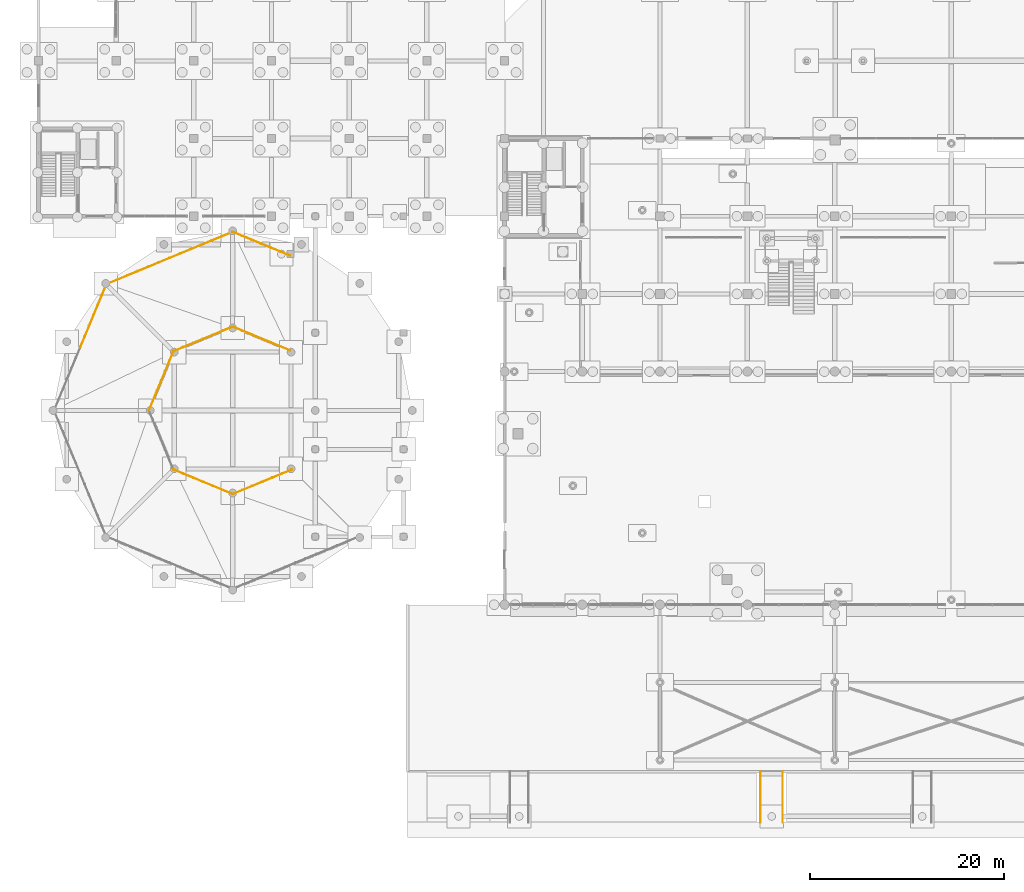
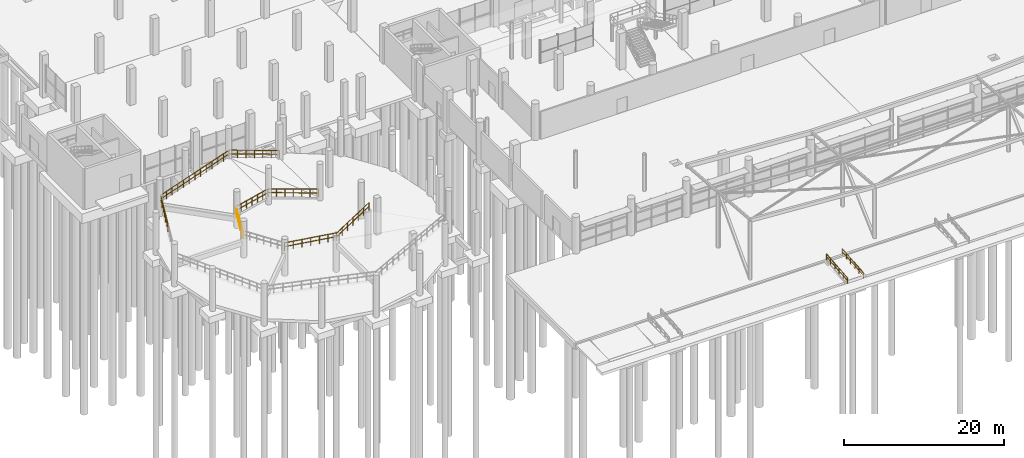
# One storey, part 89 of 98: 17 railings.
"""IFC4 building model written with IfcOpenShell, lengths in metres."""

from ifc_helpers import new_model, si_unit, derived_unit, direction, frame, origin, origin_2d, place, context, subcontext, project, spatial, circle, extrude, material, type_object, element, save


model = new_model("IFC4")

# Units and contexts
model_context = context("Model", 3, precision=1e-05, world=origin(), true_north=direction((0.0, 1.0)))
body_context = subcontext(model_context, "Body", "Model", "MODEL_VIEW")
ifc_project = project(units=[si_unit("LENGTHUNIT", "METRE"), si_unit("AREAUNIT", "SQUARE_METRE"), si_unit("VOLUMEUNIT", "CUBIC_METRE"), si_unit("PLANEANGLEUNIT", "RADIAN"), si_unit("MASSUNIT", "GRAM", prefix="KILO"), si_unit("THERMODYNAMICTEMPERATUREUNIT", "KELVIN"), derived_unit("THERMALTRANSMITTANCEUNIT", [(si_unit("POWERUNIT", "WATT"), 1), (si_unit("AREAUNIT", "SQUARE_METRE"), -1), (si_unit("THERMODYNAMICTEMPERATUREUNIT", "KELVIN"), -1)])], contexts=[model_context])

# Site, building, storey
site_placement = place(None, origin())
site = spatial("IfcSite", under=ifc_project, at=site_placement, CompositionType="ELEMENT")
building_placement = place(site_placement, origin())
building = spatial("IfcBuilding", under=site, at=building_placement, Name="Haiyu Intermodal Mobility Hub", CompositionType="ELEMENT")
storey_placement = place(building_placement, origin())
storey = spatial("IfcBuildingStorey", under=building, at=storey_placement, Name="L00", CompositionType="ELEMENT", Elevation=0.0)

# Railings
ifc_material = material(Name="Steel Q355C", Category="steel")
railing_type_1 = type_object("IfcRailingType", Name="RAL-GR01", PredefinedType="GUARDRAIL", material=ifc_material)
for number, where, name in (
    (1, (39.89990234375, 75.93603515625, 0.294921875), "RAL-VRMP-O-L00-01A"),
    (2, (36.949951171875, 77.157958984375, 0.614013671875), "RAL-VRMP-O-L00-01B"),
    (3, (39.89990234375, 66.176025390625, 0.294921875), "RAL-VRMP-I-L00-01A"),
):
    element("IfcRailing", number, at=place(storey_placement, frame(where)), inside=storey, type_object=railing_type_1, Name=name, PredefinedType="GUARDRAIL", context=body_context, shape_type="SweptSolid", body=[
        extrude(circle(Radius=0.02392578125, at=origin_2d()), frame((-0.027587890625, 0.011474609375, 1.178955078125), z_axis=(-0.919298906945, 0.380790451813, 0.099439184919), x_axis=(-0.382687186701, -0.923877977405, 0.0)), (0.0, 0.0, 1.0), 3.14892578125),
        extrude(circle(Radius=0.02392578125, at=origin_2d()), frame((-0.0341796875, 0.01416015625, 0.603759765625), z_axis=(-0.919298906945, 0.380790451813, 0.099439184919), x_axis=(-0.382687186701, -0.923877977405, 0.0)), (0.0, 0.0, 1.0), 0.9951171875),
        extrude(circle(Radius=0.02392578125, at=origin_2d()), frame((-1.017578125, 0.421630859375, 0.7099609375), z_axis=(-0.919298906945, 0.380790451813, 0.099439184919), x_axis=(-0.382687186701, -0.923877977405, 0.0)), (0.0, 0.0, 1.0), 0.9951171875),
        extrude(circle(Radius=0.02392578125, at=origin_2d()), frame((-2.0009765625, 0.828857421875, 0.81640625), z_axis=(-0.919298906945, 0.380790451813, 0.099439184919), x_axis=(-0.382687186701, -0.923877977405, 0.0)), (0.0, 0.0, 1.0), 0.9951171875),
        extrude(circle(Radius=0.02099609375, at=origin_2d()), origin(), (0.0, 0.0, 1.0), 1.143798828125),
        extrude(circle(Radius=0.02099609375, at=origin_2d()), frame((-0.9833984375, 0.4072265625, 0.1064453125)), (0.0, 0.0, 1.0), 1.143798828125),
        extrude(circle(Radius=0.02099609375, at=origin_2d()), frame((-1.966552734375, 0.814697265625, 0.212646484375)), (0.0, 0.0, 1.0), 1.143798828125),
        extrude(circle(Radius=0.02099609375, at=origin_2d()), frame((-2.949951171875, 1.221923828125, 0.319091796875)), (0.0, 0.0, 1.0), 1.143798828125),
    ])
railing_1_placement = place(storey_placement, frame((36.949951171875, 67.39794921875, 0.614013671875)))
element("IfcRailing", 4, at=railing_1_placement, inside=storey, type_object=railing_type_1, Name="RAL-VRMP-I-L00-01B", PredefinedType="GUARDRAIL", context=body_context, shape_type="SweptSolid", body=[
    extrude(circle(Radius=0.02392578125, at=origin_2d()), frame((-0.027587890625, 0.011474609375, 1.178955078125), z_axis=(-0.919272272155, 0.380855498999, 0.099436303874), x_axis=(-0.382752447143, -0.923850942634, 0.0)), (0.0, 0.0, 1.0), 3.14892578125),
    extrude(circle(Radius=0.02392578125, at=origin_2d()), frame((-0.0341796875, 0.01416015625, 0.603759765625), z_axis=(-0.919272272155, 0.380855498999, 0.099436303874), x_axis=(-0.382752447143, -0.923850942634, 0.0)), (0.0, 0.0, 1.0), 0.9951171875),
    extrude(circle(Radius=0.02392578125, at=origin_2d()), frame((-1.017578125, 0.421630859375, 0.7099609375), z_axis=(-0.919272272155, 0.380855498999, 0.099436303874), x_axis=(-0.382752447143, -0.923850942634, 0.0)), (0.0, 0.0, 1.0), 0.9951171875),
    extrude(circle(Radius=0.02392578125, at=origin_2d()), frame((-2.0009765625, 0.8291015625, 0.81640625), z_axis=(-0.919272272155, 0.380855498999, 0.099436303874), x_axis=(-0.382752447143, -0.923850942634, 0.0)), (0.0, 0.0, 1.0), 0.9951171875),
    extrude(circle(Radius=0.02099609375, at=origin_2d()), origin(), (0.0, 0.0, 1.0), 1.143798828125),
    extrude(circle(Radius=0.02099609375, at=origin_2d()), frame((-0.9833984375, 0.407470703125, 0.1064453125)), (0.0, 0.0, 1.0), 1.143798828125),
    extrude(circle(Radius=0.02099609375, at=origin_2d()), frame((-1.966552734375, 0.814697265625, 0.212646484375)), (0.0, 0.0, 1.0), 1.143798828125),
    extrude(circle(Radius=0.02099609375, at=origin_2d()), frame((-2.949951171875, 1.22216796875, 0.319091796875)), (0.0, 0.0, 1.0), 1.143798828125),
])
railing_2_placement = place(storey_placement, frame((34.0, 78.3798828125, 0.93310546875)))
element("IfcRailing", 5, at=railing_2_placement, inside=storey, type_object=railing_type_1, Name="RAL-VRMP-O-L00-02A", PredefinedType="GUARDRAIL", context=body_context, shape_type="SweptSolid", body=[
    extrude(circle(Radius=0.02392578125, at=origin_2d()), frame((-0.027587890625, -0.011474609375, 1.177978515625), z_axis=(-0.921835752281, -0.381881612738, 0.066221444182), x_axis=(0.382721705618, -0.923863678282, 0.0)), (0.0, 0.0, 1.0), 6.989013671875),
    extrude(circle(Radius=0.02392578125, at=origin_2d()), frame((-0.034423828125, -0.01416015625, 0.6025390625), z_axis=(-0.921835752281, -0.381881612738, 0.066221444182), x_axis=(0.382721705618, -0.923863678282, 0.0)), (0.0, 0.0, 1.0), 1.100341796875),
    extrude(circle(Radius=0.02392578125, at=origin_2d()), frame((-1.117431640625, -0.462890625, 0.68017578125), z_axis=(-0.921835752281, -0.381881612738, 0.066221444182), x_axis=(0.382721705618, -0.923863678282, 0.0)), (0.0, 0.0, 1.0), 1.100341796875),
    extrude(circle(Radius=0.02392578125, at=origin_2d()), frame((-2.200439453125, -0.91162109375, 0.758056640625), z_axis=(-0.921835752281, -0.381881612738, 0.066221444182), x_axis=(0.382721705618, -0.923863678282, 0.0)), (0.0, 0.0, 1.0), 1.100341796875),
    extrude(circle(Radius=0.02392578125, at=origin_2d()), frame((-3.283447265625, -1.360107421875, 0.8359375), z_axis=(-0.921835752281, -0.381881612738, 0.066221444182), x_axis=(0.382721705618, -0.923863678282, 0.0)), (0.0, 0.0, 1.0), 1.100341796875),
    extrude(circle(Radius=0.02392578125, at=origin_2d()), frame((-4.366455078125, -1.808837890625, 0.91357421875), z_axis=(-0.921835752281, -0.381881612738, 0.066221444182), x_axis=(0.382721705618, -0.923863678282, 0.0)), (0.0, 0.0, 1.0), 1.100341796875),
    extrude(circle(Radius=0.02392578125, at=origin_2d()), frame((-5.449462890625, -2.257568359375, 0.991455078125), z_axis=(-0.921835752281, -0.381881612738, 0.066221444182), x_axis=(0.382721705618, -0.923863678282, 0.0)), (0.0, 0.0, 1.0), 1.100341796875),
    extrude(circle(Radius=0.02099609375, at=origin_2d()), origin(), (0.0, 0.0, 1.0), 1.143798828125),
    extrude(circle(Radius=0.02099609375, at=origin_2d()), frame((-1.0830078125, -0.44873046875, 0.077880859375)), (0.0, 0.0, 1.0), 1.143798828125),
    extrude(circle(Radius=0.02099609375, at=origin_2d()), frame((-2.166015625, -0.897216796875, 0.155517578125)), (0.0, 0.0, 1.0), 1.143798828125),
    extrude(circle(Radius=0.02099609375, at=origin_2d()), frame((-3.2490234375, -1.345947265625, 0.2333984375)), (0.0, 0.0, 1.0), 1.143798828125),
    extrude(circle(Radius=0.02099609375, at=origin_2d()), frame((-4.33203125, -1.794677734375, 0.311279296875)), (0.0, 0.0, 1.0), 1.143798828125),
    extrude(circle(Radius=0.02099609375, at=origin_2d()), frame((-5.4150390625, -2.2431640625, 0.388916015625)), (0.0, 0.0, 1.0), 1.143798828125),
    extrude(circle(Radius=0.02099609375, at=origin_2d()), frame((-6.498046875, -2.69189453125, 0.466796875)), (0.0, 0.0, 1.0), 1.143798828125),
])
railing_3_placement = place(storey_placement, frame((27.501953125, 75.68798828125, 1.39990234375)))
element("IfcRailing", 6, at=railing_3_placement, inside=storey, type_object=railing_type_1, Name="RAL-VRMP-O-L00-02B", PredefinedType="GUARDRAIL", context=body_context, shape_type="SweptSolid", body=[
    extrude(circle(Radius=0.02392578125, at=origin_2d()), frame((-0.027587890625, -0.011474609375, 1.177978515625), z_axis=(-0.921833637453, -0.381880736645, 0.066255926828), x_axis=(0.382721705618, -0.923863678282, 0.0)), (0.0, 0.0, 1.0), 6.989013671875),
    extrude(circle(Radius=0.02392578125, at=origin_2d()), frame((-0.034423828125, -0.01416015625, 0.6025390625), z_axis=(-0.921833637453, -0.381880736645, 0.066255926828), x_axis=(0.382721705618, -0.923863678282, 0.0)), (0.0, 0.0, 1.0), 1.100341796875),
    extrude(circle(Radius=0.02392578125, at=origin_2d()), frame((-1.117431640625, -0.462890625, 0.68017578125), z_axis=(-0.921833637453, -0.381880736645, 0.066255926828), x_axis=(0.382721705618, -0.923863678282, 0.0)), (0.0, 0.0, 1.0), 1.100341796875),
    extrude(circle(Radius=0.02392578125, at=origin_2d()), frame((-2.200439453125, -0.91162109375, 0.758056640625), z_axis=(-0.921833637453, -0.381880736645, 0.066255926828), x_axis=(0.382721705618, -0.923863678282, 0.0)), (0.0, 0.0, 1.0), 1.100341796875),
    extrude(circle(Radius=0.02392578125, at=origin_2d()), frame((-3.283447265625, -1.360107421875, 0.8359375), z_axis=(-0.921833637453, -0.381880736645, 0.066255926828), x_axis=(0.382721705618, -0.923863678282, 0.0)), (0.0, 0.0, 1.0), 1.100341796875),
    extrude(circle(Radius=0.02392578125, at=origin_2d()), frame((-4.366455078125, -1.808837890625, 0.913818359375), z_axis=(-0.921833637453, -0.381880736645, 0.066255926828), x_axis=(0.382721705618, -0.923863678282, 0.0)), (0.0, 0.0, 1.0), 1.100341796875),
    extrude(circle(Radius=0.02392578125, at=origin_2d()), frame((-5.449462890625, -2.257568359375, 0.99169921875), z_axis=(-0.921833637453, -0.381880736645, 0.066255926828), x_axis=(0.382721705618, -0.923863678282, 0.0)), (0.0, 0.0, 1.0), 1.100341796875),
    extrude(circle(Radius=0.02099609375, at=origin_2d()), origin(), (0.0, 0.0, 1.0), 1.143798828125),
    extrude(circle(Radius=0.02099609375, at=origin_2d()), frame((-1.0830078125, -0.44873046875, 0.077880859375)), (0.0, 0.0, 1.0), 1.143798828125),
    extrude(circle(Radius=0.02099609375, at=origin_2d()), frame((-2.166015625, -0.897216796875, 0.15576171875)), (0.0, 0.0, 1.0), 1.143798828125),
    extrude(circle(Radius=0.02099609375, at=origin_2d()), frame((-3.2490234375, -1.345947265625, 0.2333984375)), (0.0, 0.0, 1.0), 1.143798828125),
    extrude(circle(Radius=0.02099609375, at=origin_2d()), frame((-4.33203125, -1.794677734375, 0.311279296875)), (0.0, 0.0, 1.0), 1.143798828125),
    extrude(circle(Radius=0.02099609375, at=origin_2d()), frame((-5.4150390625, -2.2431640625, 0.38916015625)), (0.0, 0.0, 1.0), 1.143798828125),
    extrude(circle(Radius=0.02099609375, at=origin_2d()), frame((-6.498046875, -2.69189453125, 0.467041015625)), (0.0, 0.0, 1.0), 1.143798828125),
])
railing_4_placement = place(storey_placement, frame((34.0, 68.6201171875, 0.93310546875)))
element("IfcRailing", 7, at=railing_4_placement, inside=storey, type_object=railing_type_1, Name="RAL-VRMP-I-L00-02A", PredefinedType="GUARDRAIL", context=body_context, shape_type="SweptSolid", body=[
    extrude(circle(Radius=0.02392578125, at=origin_2d()), frame((-0.02734375, -0.011474609375, 1.18017578125), z_axis=(-0.914805780345, -0.378818252654, 0.140096808331), x_axis=(0.382591441855, -0.923917630863, 0.0)), (0.0, 0.0, 1.0), 3.27197265625),
    extrude(circle(Radius=0.02392578125, at=origin_2d()), frame((-0.0341796875, -0.01416015625, 0.605224609375), z_axis=(-0.914805780345, -0.378818252654, 0.140096808331), x_axis=(0.382591441855, -0.923917630863, 0.0)), (0.0, 0.0, 1.0), 1.0361328125),
    extrude(circle(Radius=0.02392578125, at=origin_2d()), frame((-1.050048828125, -0.434814453125, 0.7607421875), z_axis=(-0.914805780345, -0.378818252654, 0.140096808331), x_axis=(0.382591441855, -0.923917630863, 0.0)), (0.0, 0.0, 1.0), 1.0361328125),
    extrude(circle(Radius=0.02392578125, at=origin_2d()), frame((-2.066162109375, -0.855712890625, 0.91650390625), z_axis=(-0.914805780345, -0.378818252654, 0.140096808331), x_axis=(0.382591441855, -0.923917630863, 0.0)), (0.0, 0.0, 1.0), 1.0361328125),
    extrude(circle(Radius=0.02099609375, at=origin_2d()), origin(), (0.0, 0.0, 1.0), 1.143798828125),
    extrude(circle(Radius=0.02099609375, at=origin_2d()), frame((-1.01611328125, -0.420654296875, 0.155517578125)), (0.0, 0.0, 1.0), 1.143798828125),
    extrude(circle(Radius=0.02099609375, at=origin_2d()), frame((-2.031982421875, -0.841552734375, 0.311279296875)), (0.0, 0.0, 1.0), 1.143798828125),
    extrude(circle(Radius=0.02099609375, at=origin_2d()), frame((-3.048095703125, -1.26220703125, 0.466796875)), (0.0, 0.0, 1.0), 1.143798828125),
])
railing_5_placement = place(storey_placement, frame((30.951904296875, 67.35791015625, 1.39990234375)))
element("IfcRailing", 8, at=railing_5_placement, inside=storey, type_object=railing_type_1, Name="RAL-VRMP-I-L00-02B", PredefinedType="GUARDRAIL", context=body_context, shape_type="SweptSolid", body=[
    extrude(circle(Radius=0.02392578125, at=origin_2d()), frame((-0.02734375, -0.011474609375, 1.18017578125), z_axis=(-0.914660353931, -0.379129648308, 0.140203946881), x_axis=(0.382911803909, -0.923784904849, 0.0)), (0.0, 0.0, 1.0), 3.271240234375),
    extrude(circle(Radius=0.02392578125, at=origin_2d()), frame((-0.0341796875, -0.01416015625, 0.605224609375), z_axis=(-0.914660353931, -0.379129648308, 0.140203946881), x_axis=(0.382911803909, -0.923784904849, 0.0)), (0.0, 0.0, 1.0), 1.035888671875),
    extrude(circle(Radius=0.02392578125, at=origin_2d()), frame((-1.0498046875, -0.43505859375, 0.760986328125), z_axis=(-0.914660353931, -0.379129648308, 0.140203946881), x_axis=(0.382911803909, -0.923784904849, 0.0)), (0.0, 0.0, 1.0), 1.035888671875),
    extrude(circle(Radius=0.02392578125, at=origin_2d()), frame((-2.0654296875, -0.856201171875, 0.91650390625), z_axis=(-0.914660353931, -0.379129648308, 0.140203946881), x_axis=(0.382911803909, -0.923784904849, 0.0)), (0.0, 0.0, 1.0), 1.035888671875),
    extrude(circle(Radius=0.02099609375, at=origin_2d()), origin(), (0.0, 0.0, 1.0), 1.143798828125),
    extrude(circle(Radius=0.02099609375, at=origin_2d()), frame((-1.015625, -0.4208984375, 0.15576171875)), (0.0, 0.0, 1.0), 1.143798828125),
    extrude(circle(Radius=0.02099609375, at=origin_2d()), frame((-2.03125, -0.842041015625, 0.311279296875)), (0.0, 0.0, 1.0), 1.143798828125),
    extrude(circle(Radius=0.02099609375, at=origin_2d()), frame((-3.046875, -1.262939453125, 0.467041015625)), (0.0, 0.0, 1.0), 1.143798828125),
])
railing_6_placement = place(storey_placement, frame((21.00390625, 72.99609375, 1.866943359375)))
element("IfcRailing", 9, at=railing_6_placement, inside=storey, type_object=railing_type_1, Name="RAL-VRMP-O-L00-03A", PredefinedType="GUARDRAIL", context=body_context, shape_type="SweptSolid", body=[
    extrude(circle(Radius=0.02392578125, at=origin_2d()), frame((-0.011474609375, -0.027587890625, 1.177978515625), z_axis=(-0.381880736645, -0.921833637453, 0.066255926828), x_axis=(0.923863678282, -0.382721705618, 0.0)), (0.0, 0.0, 1.0), 6.989013671875),
    extrude(circle(Radius=0.02392578125, at=origin_2d()), frame((-0.01416015625, -0.034423828125, 0.6025390625), z_axis=(-0.381880736645, -0.921833637453, 0.066255926828), x_axis=(0.923863678282, -0.382721705618, 0.0)), (0.0, 0.0, 1.0), 1.100341796875),
    extrude(circle(Radius=0.02392578125, at=origin_2d()), frame((-0.462890625, -1.117431640625, 0.68017578125), z_axis=(-0.381880736645, -0.921833637453, 0.066255926828), x_axis=(0.923863678282, -0.382721705618, 0.0)), (0.0, 0.0, 1.0), 1.100341796875),
    extrude(circle(Radius=0.02392578125, at=origin_2d()), frame((-0.91162109375, -2.200439453125, 0.758056640625), z_axis=(-0.381880736645, -0.921833637453, 0.066255926828), x_axis=(0.923863678282, -0.382721705618, 0.0)), (0.0, 0.0, 1.0), 1.100341796875),
    extrude(circle(Radius=0.02392578125, at=origin_2d()), frame((-1.360107421875, -3.283447265625, 0.8359375), z_axis=(-0.381880736645, -0.921833637453, 0.066255926828), x_axis=(0.923863678282, -0.382721705618, 0.0)), (0.0, 0.0, 1.0), 1.100341796875),
    extrude(circle(Radius=0.02392578125, at=origin_2d()), frame((-1.808837890625, -4.366455078125, 0.913818359375), z_axis=(-0.381880736645, -0.921833637453, 0.066255926828), x_axis=(0.923863678282, -0.382721705618, 0.0)), (0.0, 0.0, 1.0), 1.100341796875),
    extrude(circle(Radius=0.02392578125, at=origin_2d()), frame((-2.257568359375, -5.449462890625, 0.99169921875), z_axis=(-0.381880736645, -0.921833637453, 0.066255926828), x_axis=(0.923863678282, -0.382721705618, 0.0)), (0.0, 0.0, 1.0), 1.100341796875),
    extrude(circle(Radius=0.02099609375, at=origin_2d()), origin(), (0.0, 0.0, 1.0), 1.143798828125),
    extrude(circle(Radius=0.02099609375, at=origin_2d()), frame((-0.44873046875, -1.0830078125, 0.077880859375)), (0.0, 0.0, 1.0), 1.143798828125),
    extrude(circle(Radius=0.02099609375, at=origin_2d()), frame((-0.897216796875, -2.166015625, 0.15576171875)), (0.0, 0.0, 1.0), 1.143798828125),
    extrude(circle(Radius=0.02099609375, at=origin_2d()), frame((-1.345947265625, -3.2490234375, 0.2333984375)), (0.0, 0.0, 1.0), 1.143798828125),
    extrude(circle(Radius=0.02099609375, at=origin_2d()), frame((-1.794677734375, -4.33203125, 0.311279296875)), (0.0, 0.0, 1.0), 1.143798828125),
    extrude(circle(Radius=0.02099609375, at=origin_2d()), frame((-2.2431640625, -5.4150390625, 0.38916015625)), (0.0, 0.0, 1.0), 1.143798828125),
    extrude(circle(Radius=0.02099609375, at=origin_2d()), frame((-2.69189453125, -6.498046875, 0.467041015625)), (0.0, 0.0, 1.0), 1.143798828125),
])
railing_7_placement = place(storey_placement, frame((27.905029296875, 66.094970703125, 1.866943359375)))
element("IfcRailing", 10, at=railing_7_placement, inside=storey, type_object=railing_type_1, Name="RAL-VRMP-I-L00-03A", PredefinedType="GUARDRAIL", context=body_context, shape_type="SweptSolid", body=[
    extrude(circle(Radius=0.02392578125, at=origin_2d()), frame((-0.011474609375, -0.02734375, 1.18017578125), z_axis=(-0.379129648308, -0.914660353931, 0.140203946881), x_axis=(0.923784904849, -0.382911803909, 0.0)), (0.0, 0.0, 1.0), 3.271240234375),
    extrude(circle(Radius=0.02392578125, at=origin_2d()), frame((-0.01416015625, -0.0341796875, 0.605224609375), z_axis=(-0.379129648308, -0.914660353931, 0.140203946881), x_axis=(0.923784904849, -0.382911803909, 0.0)), (0.0, 0.0, 1.0), 1.035888671875),
    extrude(circle(Radius=0.02392578125, at=origin_2d()), frame((-0.43505859375, -1.0498046875, 0.760986328125), z_axis=(-0.379129648308, -0.914660353931, 0.140203946881), x_axis=(0.923784904849, -0.382911803909, 0.0)), (0.0, 0.0, 1.0), 1.035888671875),
    extrude(circle(Radius=0.02392578125, at=origin_2d()), frame((-0.856201171875, -2.0654296875, 0.91650390625), z_axis=(-0.379129648308, -0.914660353931, 0.140203946881), x_axis=(0.923784904849, -0.382911803909, 0.0)), (0.0, 0.0, 1.0), 1.035888671875),
    extrude(circle(Radius=0.02099609375, at=origin_2d()), origin(), (0.0, 0.0, 1.0), 1.143798828125),
    extrude(circle(Radius=0.02099609375, at=origin_2d()), frame((-0.4208984375, -1.015625, 0.15576171875)), (0.0, 0.0, 1.0), 1.143798828125),
    extrude(circle(Radius=0.02099609375, at=origin_2d()), frame((-0.842041015625, -2.03125, 0.311279296875)), (0.0, 0.0, 1.0), 1.143798828125),
    extrude(circle(Radius=0.02099609375, at=origin_2d()), frame((-1.262939453125, -3.046875, 0.467041015625)), (0.0, 0.0, 1.0), 1.143798828125),
])
railing_8_placement = place(storey_placement, frame((26.64208984375, 63.048095703125, 2.333984375)))
element("IfcRailing", 11, at=railing_8_placement, inside=storey, type_object=railing_type_1, Name="RAL-VRMP-I-L00-03B", PredefinedType="GUARDRAIL", context=body_context, shape_type="SweptSolid", body=[
    extrude(circle(Radius=0.02392578125, at=origin_2d()), frame((-0.011474609375, -0.02734375, 1.18017578125), z_axis=(-0.378829910007, -0.914833931612, 0.13988129559), x_axis=(0.923917630863, -0.382591441855, 0.0)), (0.0, 0.0, 1.0), 3.27197265625),
    extrude(circle(Radius=0.02392578125, at=origin_2d()), frame((-0.01416015625, -0.0341796875, 0.605224609375), z_axis=(-0.378829910007, -0.914833931612, 0.13988129559), x_axis=(0.923917630863, -0.382591441855, 0.0)), (0.0, 0.0, 1.0), 1.0361328125),
    extrude(circle(Radius=0.02392578125, at=origin_2d()), frame((-0.434814453125, -1.050048828125, 0.760498046875), z_axis=(-0.378829910007, -0.914833931612, 0.13988129559), x_axis=(0.923917630863, -0.382591441855, 0.0)), (0.0, 0.0, 1.0), 1.0361328125),
    extrude(circle(Radius=0.02392578125, at=origin_2d()), frame((-0.855712890625, -2.066162109375, 0.916015625), z_axis=(-0.378829910007, -0.914833931612, 0.13988129559), x_axis=(0.923917630863, -0.382591441855, 0.0)), (0.0, 0.0, 1.0), 1.0361328125),
    extrude(circle(Radius=0.02099609375, at=origin_2d()), origin(), (0.0, 0.0, 1.0), 1.143798828125),
    extrude(circle(Radius=0.02099609375, at=origin_2d()), frame((-0.420654296875, -1.01611328125, 0.1552734375)), (0.0, 0.0, 1.0), 1.143798828125),
    extrude(circle(Radius=0.02099609375, at=origin_2d()), frame((-0.841552734375, -2.031982421875, 0.310791015625)), (0.0, 0.0, 1.0), 1.143798828125),
    extrude(circle(Radius=0.02099609375, at=origin_2d()), frame((-1.26220703125, -3.048095703125, 0.466064453125)), (0.0, 0.0, 1.0), 1.143798828125),
])
railing_9_placement = place(storey_placement, frame((27.905029296875, 53.905029296875, 3.73291015625)))
element("IfcRailing", 12, at=railing_9_placement, inside=storey, type_object=railing_type_1, Name="RAL-VRMP-I-L00-05A", PredefinedType="GUARDRAIL", context=body_context, shape_type="SweptSolid", body=[
    extrude(circle(Radius=0.02392578125, at=origin_2d()), frame((0.02734375, -0.011474609375, 1.18017578125), z_axis=(0.914660353931, -0.379129648308, 0.140203946881), x_axis=(0.382911803909, 0.923784904849, 0.0)), (0.0, 0.0, 1.0), 3.271240234375),
    extrude(circle(Radius=0.02392578125, at=origin_2d()), frame((0.0341796875, -0.01416015625, 0.605224609375), z_axis=(0.914660353931, -0.379129648308, 0.140203946881), x_axis=(0.382911803909, 0.923784904849, 0.0)), (0.0, 0.0, 1.0), 1.035888671875),
    extrude(circle(Radius=0.02392578125, at=origin_2d()), frame((1.0498046875, -0.43505859375, 0.760986328125), z_axis=(0.914660353931, -0.379129648308, 0.140203946881), x_axis=(0.382911803909, 0.923784904849, 0.0)), (0.0, 0.0, 1.0), 1.035888671875),
    extrude(circle(Radius=0.02392578125, at=origin_2d()), frame((2.0654296875, -0.856201171875, 0.91650390625), z_axis=(0.914660353931, -0.379129648308, 0.140203946881), x_axis=(0.382911803909, 0.923784904849, 0.0)), (0.0, 0.0, 1.0), 1.035888671875),
    extrude(circle(Radius=0.02099609375, at=origin_2d()), origin(), (0.0, 0.0, 1.0), 1.143798828125),
    extrude(circle(Radius=0.02099609375, at=origin_2d()), frame((1.015625, -0.4208984375, 0.15576171875)), (0.0, 0.0, 1.0), 1.143798828125),
    extrude(circle(Radius=0.02099609375, at=origin_2d()), frame((2.03125, -0.842041015625, 0.311279296875)), (0.0, 0.0, 1.0), 1.143798828125),
    extrude(circle(Radius=0.02099609375, at=origin_2d()), frame((3.046875, -1.262939453125, 0.467041015625)), (0.0, 0.0, 1.0), 1.143798828125),
])
railing_10_placement = place(storey_placement, frame((30.951904296875, 52.64208984375, 4.199951171875)))
element("IfcRailing", 13, at=railing_10_placement, inside=storey, type_object=railing_type_1, Name="RAL-VRMP-I-L00-05B", PredefinedType="GUARDRAIL", context=body_context, shape_type="SweptSolid", body=[
    extrude(circle(Radius=0.02392578125, at=origin_2d()), frame((0.02734375, -0.011474609375, 1.18017578125), z_axis=(0.914796387344, -0.378814363041, 0.140168641489), x_axis=(0.382591441855, 0.923917630863, 0.0)), (0.0, 0.0, 1.0), 3.27197265625),
    extrude(circle(Radius=0.02392578125, at=origin_2d()), frame((0.0341796875, -0.01416015625, 0.605224609375), z_axis=(0.914796387344, -0.378814363041, 0.140168641489), x_axis=(0.382591441855, 0.923917630863, 0.0)), (0.0, 0.0, 1.0), 1.0361328125),
    extrude(circle(Radius=0.02392578125, at=origin_2d()), frame((1.050048828125, -0.434814453125, 0.760986328125), z_axis=(0.914796387344, -0.378814363041, 0.140168641489), x_axis=(0.382591441855, 0.923917630863, 0.0)), (0.0, 0.0, 1.0), 1.0361328125),
    extrude(circle(Radius=0.02392578125, at=origin_2d()), frame((2.066162109375, -0.855712890625, 0.91650390625), z_axis=(0.914796387344, -0.378814363041, 0.140168641489), x_axis=(0.382591441855, 0.923917630863, 0.0)), (0.0, 0.0, 1.0), 1.0361328125),
    extrude(circle(Radius=0.02099609375, at=origin_2d()), origin(), (0.0, 0.0, 1.0), 1.143798828125),
    extrude(circle(Radius=0.02099609375, at=origin_2d()), frame((1.01611328125, -0.420654296875, 0.15576171875)), (0.0, 0.0, 1.0), 1.143798828125),
    extrude(circle(Radius=0.02099609375, at=origin_2d()), frame((2.031982421875, -0.841552734375, 0.311279296875)), (0.0, 0.0, 1.0), 1.143798828125),
    extrude(circle(Radius=0.02099609375, at=origin_2d()), frame((3.048095703125, -1.26220703125, 0.467041015625)), (0.0, 0.0, 1.0), 1.143798828125),
])
railing_11_placement = place(storey_placement, frame((34.0, 51.3798828125, 4.6669921875)))
element("IfcRailing", 14, at=railing_11_placement, inside=storey, type_object=railing_type_1, Name="RAL-VRMP-I-L00-06A", PredefinedType="GUARDRAIL", context=body_context, shape_type="SweptSolid", body=[
    extrude(circle(Radius=0.02392578125, at=origin_2d()), frame((0.02734375, 0.011474609375, 1.18017578125), z_axis=(0.914796387344, 0.378814363041, 0.140168641489), x_axis=(-0.382591441855, 0.923917630863, 0.0)), (0.0, 0.0, 1.0), 3.27197265625),
    extrude(circle(Radius=0.02392578125, at=origin_2d()), frame((0.0341796875, 0.01416015625, 0.605224609375), z_axis=(0.914796387344, 0.378814363041, 0.140168641489), x_axis=(-0.382591441855, 0.923917630863, 0.0)), (0.0, 0.0, 1.0), 1.0361328125),
    extrude(circle(Radius=0.02392578125, at=origin_2d()), frame((1.050048828125, 0.434814453125, 0.760986328125), z_axis=(0.914796387344, 0.378814363041, 0.140168641489), x_axis=(-0.382591441855, 0.923917630863, 0.0)), (0.0, 0.0, 1.0), 1.0361328125),
    extrude(circle(Radius=0.02392578125, at=origin_2d()), frame((2.066162109375, 0.855712890625, 0.91650390625), z_axis=(0.914796387344, 0.378814363041, 0.140168641489), x_axis=(-0.382591441855, 0.923917630863, 0.0)), (0.0, 0.0, 1.0), 1.0361328125),
    extrude(circle(Radius=0.02099609375, at=origin_2d()), origin(), (0.0, 0.0, 1.0), 1.143798828125),
    extrude(circle(Radius=0.02099609375, at=origin_2d()), frame((1.01611328125, 0.420654296875, 0.15576171875)), (0.0, 0.0, 1.0), 1.143798828125),
    extrude(circle(Radius=0.02099609375, at=origin_2d()), frame((2.031982421875, 0.841552734375, 0.311279296875)), (0.0, 0.0, 1.0), 1.143798828125),
    extrude(circle(Radius=0.02099609375, at=origin_2d()), frame((3.048095703125, 1.26220703125, 0.467041015625)), (0.0, 0.0, 1.0), 1.143798828125),
])
railing_12_placement = place(storey_placement, frame((37.048095703125, 52.64208984375, 5.134033203125)))
element("IfcRailing", 15, at=railing_12_placement, inside=storey, type_object=railing_type_1, Name="RAL-VRMP-I-L00-06B", PredefinedType="GUARDRAIL", context=body_context, shape_type="SweptSolid", body=[
    extrude(circle(Radius=0.02392578125, at=origin_2d()), frame((0.02734375, 0.011474609375, 1.18017578125), z_axis=(0.91469791153, 0.379145216053, 0.139916531499), x_axis=(-0.382911803909, 0.923784904849, 0.0)), (0.0, 0.0, 1.0), 3.27099609375),
    extrude(circle(Radius=0.02392578125, at=origin_2d()), frame((0.0341796875, 0.01416015625, 0.605224609375), z_axis=(0.91469791153, 0.379145216053, 0.139916531499), x_axis=(-0.382911803909, 0.923784904849, 0.0)), (0.0, 0.0, 1.0), 1.03564453125),
    extrude(circle(Radius=0.02392578125, at=origin_2d()), frame((1.0498046875, 0.43505859375, 0.760498046875), z_axis=(0.91469791153, 0.379145216053, 0.139916531499), x_axis=(-0.382911803909, 0.923784904849, 0.0)), (0.0, 0.0, 1.0), 1.03564453125),
    extrude(circle(Radius=0.02392578125, at=origin_2d()), frame((2.0654296875, 0.856201171875, 0.916015625), z_axis=(0.91469791153, 0.379145216053, 0.139916531499), x_axis=(-0.382911803909, 0.923784904849, 0.0)), (0.0, 0.0, 1.0), 1.03564453125),
    extrude(circle(Radius=0.02099609375, at=origin_2d()), origin(), (0.0, 0.0, 1.0), 1.143798828125),
    extrude(circle(Radius=0.02099609375, at=origin_2d()), frame((1.015625, 0.4208984375, 0.1552734375)), (0.0, 0.0, 1.0), 1.143798828125),
    extrude(circle(Radius=0.02099609375, at=origin_2d()), frame((2.03125, 0.842041015625, 0.310791015625)), (0.0, 0.0, 1.0), 1.143798828125),
    extrude(circle(Radius=0.02099609375, at=origin_2d()), frame((3.046875, 1.262939453125, 0.466064453125)), (0.0, 0.0, 1.0), 1.143798828125),
])
railing_type_2 = type_object("IfcRailingType", Name="RAL-HR02", PredefinedType="HANDRAIL", material=ifc_material)
railing_13_placement = place(storey_placement, frame((88.360107421875, 17.56005859375, -0.449951171875)))
element("IfcRailing", 16, at=railing_13_placement, inside=storey, type_object=railing_type_2, Name="RAL-ACC-03-W", PredefinedType="HANDRAIL", context=body_context, shape_type="SweptSolid", body=[
    extrude(circle(Radius=0.02392578125, at=origin_2d()), frame((0.0, 0.02978515625, 0.87841796875), z_axis=(0.0, 0.99638864189, 0.084909801036), x_axis=(-1.0, 0.0, 0.0)), (0.0, 0.0, 1.0), 5.2392578125),
    extrude(circle(Radius=0.02392578125, at=origin_2d()), frame((0.0, 0.037109375, 0.453125), z_axis=(0.0, 0.99638864189, 0.084909801036), x_axis=(-1.0, 0.0, 0.0)), (0.0, 0.0, 1.0), 0.9853515625),
    extrude(circle(Radius=0.02392578125, at=origin_2d()), frame((0.0, 1.09326171875, 0.543212890625), z_axis=(0.0, 0.99638864189, 0.084909801036), x_axis=(-1.0, 0.0, 0.0)), (0.0, 0.0, 1.0), 0.9853515625),
    extrude(circle(Radius=0.02392578125, at=origin_2d()), frame((0.0, 2.149169921875, 0.633056640625), z_axis=(0.0, 0.99638864189, 0.084909801036), x_axis=(-1.0, 0.0, 0.0)), (0.0, 0.0, 1.0), 0.9853515625),
    extrude(circle(Radius=0.02392578125, at=origin_2d()), frame((0.0, 3.205078125, 0.72314453125), z_axis=(0.0, 0.99638864189, 0.084909801036), x_axis=(-1.0, 0.0, 0.0)), (0.0, 0.0, 1.0), 0.9853515625),
    extrude(circle(Radius=0.02392578125, at=origin_2d()), frame((0.0, 4.26123046875, 0.81298828125), z_axis=(0.0, 0.99638864189, 0.084909801036), x_axis=(-1.0, 0.0, 0.0)), (0.0, 0.0, 1.0), 0.9853515625),
    extrude(circle(Radius=0.02099609375, at=origin_2d()), origin(), (0.0, 0.0, 1.0), 0.84375),
    extrude(circle(Radius=0.02099609375, at=origin_2d()), frame((0.0, 1.055908203125, 0.090087890625)), (0.0, 0.0, 1.0), 0.84375),
    extrude(circle(Radius=0.02099609375, at=origin_2d()), frame((0.0, 2.112060546875, 0.179931640625)), (0.0, 0.0, 1.0), 0.84375),
    extrude(circle(Radius=0.02099609375, at=origin_2d()), frame((0.0, 3.16796875, 0.27001953125)), (0.0, 0.0, 1.0), 0.84375),
    extrude(circle(Radius=0.02099609375, at=origin_2d()), frame((0.0, 4.22412109375, 0.35986328125)), (0.0, 0.0, 1.0), 0.84375),
    extrude(circle(Radius=0.02099609375, at=origin_2d()), frame((0.0, 5.280029296875, 0.449951171875)), (0.0, 0.0, 1.0), 0.84375),
])
railing_14_placement = place(storey_placement, frame((90.639892578125, 17.56005859375, -0.449951171875)))
element("IfcRailing", 17, at=railing_14_placement, inside=storey, type_object=railing_type_2, Name="RAL-ACC-03-E", PredefinedType="HANDRAIL", context=body_context, shape_type="SweptSolid", body=[
    extrude(circle(Radius=0.02392578125, at=origin_2d()), frame((0.0, 0.02978515625, 0.87841796875), z_axis=(0.0, 0.99638864189, 0.084909801036), x_axis=(-1.0, 0.0, 0.0)), (0.0, 0.0, 1.0), 5.2392578125),
    extrude(circle(Radius=0.02392578125, at=origin_2d()), frame((0.0, 0.037109375, 0.453125), z_axis=(0.0, 0.99638864189, 0.084909801036), x_axis=(-1.0, 0.0, 0.0)), (0.0, 0.0, 1.0), 0.9853515625),
    extrude(circle(Radius=0.02392578125, at=origin_2d()), frame((0.0, 1.09326171875, 0.543212890625), z_axis=(0.0, 0.99638864189, 0.084909801036), x_axis=(-1.0, 0.0, 0.0)), (0.0, 0.0, 1.0), 0.9853515625),
    extrude(circle(Radius=0.02392578125, at=origin_2d()), frame((0.0, 2.149169921875, 0.633056640625), z_axis=(0.0, 0.99638864189, 0.084909801036), x_axis=(-1.0, 0.0, 0.0)), (0.0, 0.0, 1.0), 0.9853515625),
    extrude(circle(Radius=0.02392578125, at=origin_2d()), frame((0.0, 3.205078125, 0.72314453125), z_axis=(0.0, 0.99638864189, 0.084909801036), x_axis=(-1.0, 0.0, 0.0)), (0.0, 0.0, 1.0), 0.9853515625),
    extrude(circle(Radius=0.02392578125, at=origin_2d()), frame((0.0, 4.26123046875, 0.81298828125), z_axis=(0.0, 0.99638864189, 0.084909801036), x_axis=(-1.0, 0.0, 0.0)), (0.0, 0.0, 1.0), 0.9853515625),
    extrude(circle(Radius=0.02099609375, at=origin_2d()), origin(), (0.0, 0.0, 1.0), 0.84375),
    extrude(circle(Radius=0.02099609375, at=origin_2d()), frame((0.0, 1.055908203125, 0.090087890625)), (0.0, 0.0, 1.0), 0.84375),
    extrude(circle(Radius=0.02099609375, at=origin_2d()), frame((0.0, 2.112060546875, 0.179931640625)), (0.0, 0.0, 1.0), 0.84375),
    extrude(circle(Radius=0.02099609375, at=origin_2d()), frame((0.0, 3.16796875, 0.27001953125)), (0.0, 0.0, 1.0), 0.84375),
    extrude(circle(Radius=0.02099609375, at=origin_2d()), frame((0.0, 4.22412109375, 0.35986328125)), (0.0, 0.0, 1.0), 0.84375),
    extrude(circle(Radius=0.02099609375, at=origin_2d()), frame((0.0, 5.280029296875, 0.449951171875)), (0.0, 0.0, 1.0), 0.84375),
])

save(model, "model.ifc")
